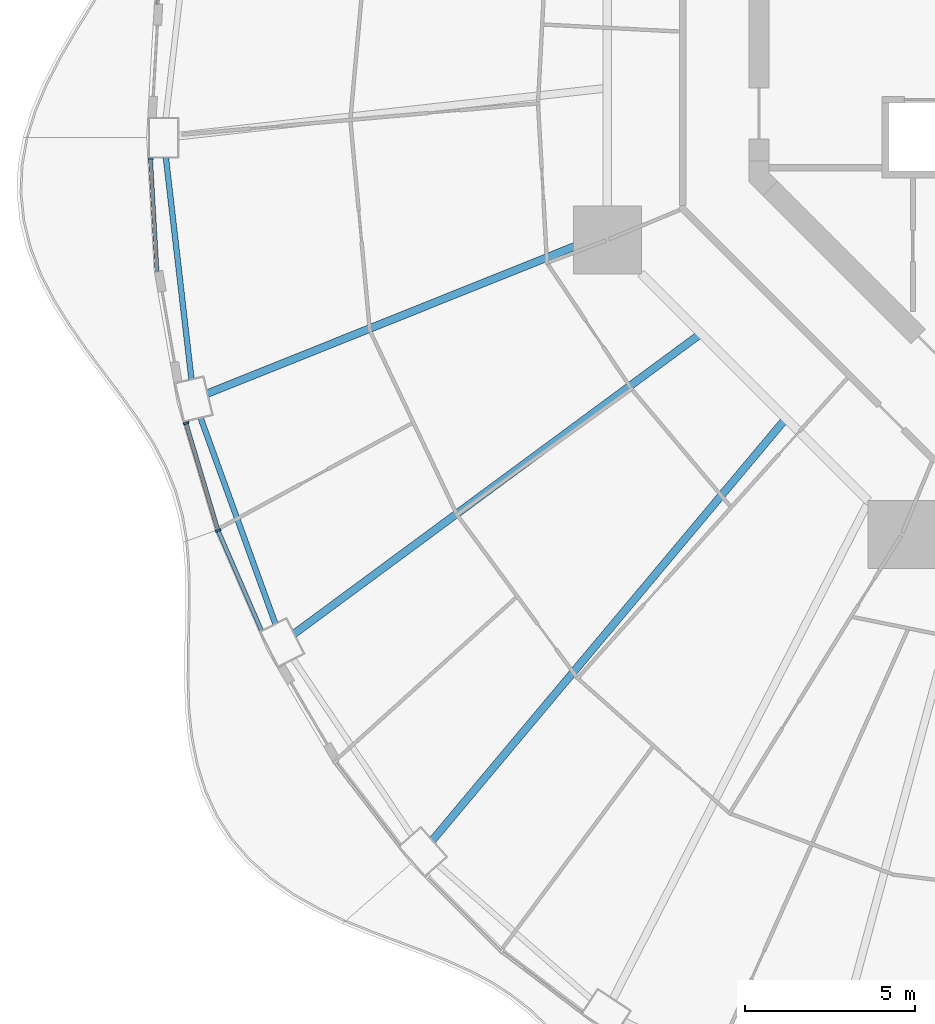
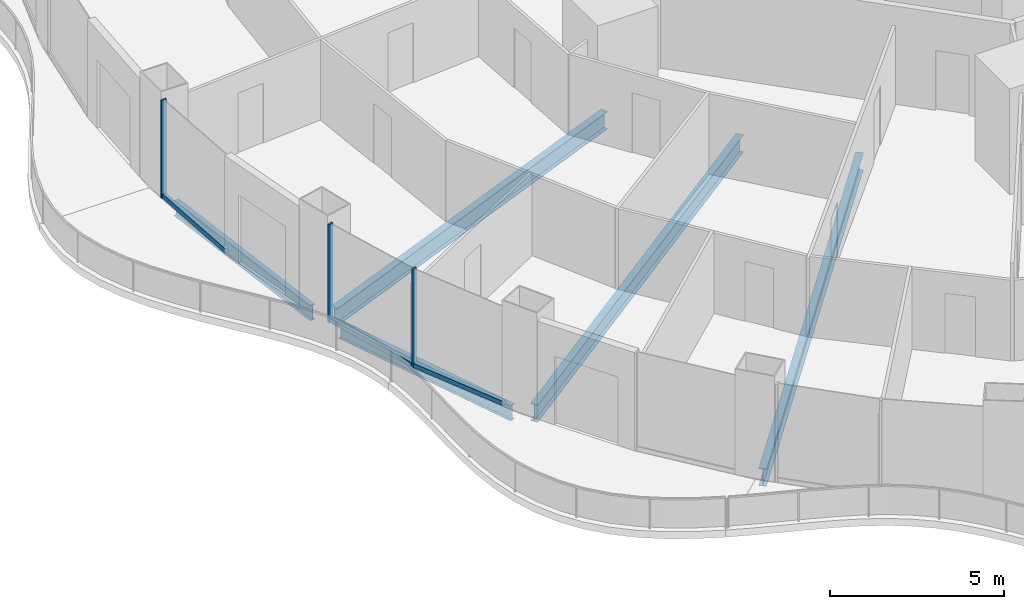
# One storey, part 3 of 20: 6 members, 5 beams, 3 elements without a shape of their own.
"""IFC4 building model written with IfcOpenShell, lengths in metres."""

from ifc_helpers import new_model, si_unit, direction, frame, origin, origin_2d, place, context, subcontext, project, spatial, rectangle, i_section, extrude, material, layer, layer_set, material_profile, profile_set, type_object, element, aggregate, save


model = new_model("IFC4")

# Units and contexts
model_context = context("Model", 3, precision=1e-05, world=origin(), true_north=direction((0.0, 1.0)))
body_context = subcontext(model_context, "Body", "Model", "MODEL_VIEW")
ifc_project = project(units=[si_unit("LENGTHUNIT", "METRE"), si_unit("AREAUNIT", "SQUARE_METRE"), si_unit("VOLUMEUNIT", "CUBIC_METRE"), si_unit("PLANEANGLEUNIT", "RADIAN"), si_unit("MASSUNIT", "GRAM", prefix="KILO")], contexts=[model_context])

# Site, building, storey
site_placement = place(None, origin())
site = spatial("IfcSite", under=ifc_project, at=site_placement, CompositionType="ELEMENT")
building_placement = place(site_placement, origin())
building = spatial("IfcBuilding", under=site, at=building_placement, Name="Nagisa Residences", CompositionType="ELEMENT")
storey_placement = place(building_placement, frame((0.0, 0.0, 123.300048828125)))
storey = spatial("IfcBuildingStorey", under=building, at=storey_placement, Name="L30", CompositionType="ELEMENT", Elevation=123.300048828125)

# Curtain wall, member
ifc_material_1 = material(Name="Concrete-coloured aluminium curtain wall system", Category="concrete")
ifc_layer = layer(ifc_material_1, 0.159912109375)
ifc_layer_set = layer_set([ifc_layer], Name="CW1 CURTAIN WALL")
curtain_wall_type = type_object("IfcCurtainWallType", Name="CW1 CURTAIN WALL", PredefinedType="NOTDEFINED", material=ifc_layer_set)
curtain_wall_1_placement = place(storey_placement, origin())
curtain_wall_1 = element("IfcCurtainWall", 1, at=curtain_wall_1_placement, inside=storey, type_object=curtain_wall_type, Name="cw:CW1:L30:24", PredefinedType="NOTDEFINED")
ifc_material_2 = material(Name="Concrete-coloured aluminium", Category="concrete")
ifc_material_profile_1 = material_profile(ifc_material_2, rectangle(XDim=0.159912109375, YDim=0.06005859375, at=origin_2d()), Name="CW1 MULLION 160x60")
ifc_profile_set_1 = profile_set([ifc_material_profile_1], Name="Concrete-coloured aluminium")
member_type_1 = type_object("IfcMemberType", Name="CW1 MULLION 160x60", PredefinedType="MULLION", material=ifc_profile_set_1)
member_1_placement = place(storey_placement, frame((-28.218994140625, -3.741943359375, 0.0), z_axis=(0.0, 0.0, 1.0), x_axis=(0.998345305184, 0.057503492216, 0.0)))
member_1 = element("IfcMember", 2, at=member_1_placement, type_object=member_type_1, Name="CW1 mullion", PredefinedType="MULLION", context=body_context, shape_type="SweptSolid", body=[
    extrude(rectangle(XDim=0.159912109375, YDim=0.06005859375, at=origin_2d()), origin(), (0.0, 0.0, 1.0), 3.43994140625),
])

curtain_wall_2_placement = place(storey_placement, origin())
curtain_wall_2 = element("IfcCurtainWall", 3, at=curtain_wall_2_placement, inside=storey, type_object=curtain_wall_type, Name="cw:CW1:L30:26", PredefinedType="NOTDEFINED")
member_2_placement = place(storey_placement, frame((-27.174072265625, -11.513671875, 0.0), z_axis=(0.0, 0.0, 1.0), x_axis=(0.958271310082, 0.285860274038, 0.0)))
member_2 = element("IfcMember", 4, at=member_2_placement, type_object=member_type_1, Name="CW1 mullion", PredefinedType="MULLION", context=body_context, shape_type="SweptSolid", body=[
    extrude(rectangle(XDim=0.159912109375, YDim=0.06005859375, at=origin_2d()), origin(), (0.0, 0.0, 1.0), 3.43994140625),
])

curtain_wall_3_placement = place(storey_placement, origin())
curtain_wall_3 = element("IfcCurtainWall", 5, at=curtain_wall_3_placement, inside=storey, type_object=curtain_wall_type, Name="cw:CW1:L30:27", PredefinedType="NOTDEFINED")
member_3_placement = place(storey_placement, frame((-26.229736328125, -14.66845703125, 0.0), z_axis=(0.0, 0.0, 1.0), x_axis=(0.917543276295, 0.397635934147, 0.0)))
member_3 = element("IfcMember", 6, at=member_3_placement, type_object=member_type_1, Name="CW1 mullion", PredefinedType="MULLION", context=body_context, shape_type="SweptSolid", body=[
    extrude(rectangle(XDim=0.159912109375, YDim=0.06005859375, at=origin_2d()), origin(), (0.0, 0.0, 1.0), 3.43994140625),
])

# Member
ifc_material_3 = material(Name="Concrete-coloured aluminium", Category="concrete")
ifc_material_profile_2 = material_profile(ifc_material_3, rectangle(XDim=0.1201171875, YDim=0.14990234375, at=origin_2d()), Name="CW1 TRANSOM 120x150")
ifc_profile_set_2 = profile_set([ifc_material_profile_2], Name="Concrete-coloured aluminium")
member_type_2 = type_object("IfcMemberType", Name="CW1 TRANSOM 120x150", PredefinedType="USERDEFINED", material=ifc_profile_set_2)
member_4_placement = place(storey_placement, frame((-28.220703125, -3.712158203125, 0.074951171875), z_axis=(0.057537829427, -0.998343326809, 0.0), x_axis=(0.998343326809, 0.057537829427, 0.0)))
member_4 = element("IfcMember", 7, at=member_4_placement, type_object=member_type_2, Name="CW1 transom", ObjectType="TRANSOM", PredefinedType="USERDEFINED", context=body_context, shape_type="SweptSolid", body=[
    extrude(rectangle(XDim=0.1201171875, YDim=0.14990234375, at=origin_2d()), origin(), (0.0, 0.0, 1.0), 3.347900390625),
])

aggregate(curtain_wall_1, [member_1, member_4])

member_5_placement = place(storey_placement, frame((-27.1826171875, -11.48486328125, 0.074951171875), z_axis=(0.285842038783, -0.958276749621, 0.0), x_axis=(0.958276749621, 0.285842038783, 0.0)))
member_5 = element("IfcMember", 8, at=member_5_placement, type_object=member_type_2, Name="CW1 transom", ObjectType="TRANSOM", PredefinedType="USERDEFINED", context=body_context, shape_type="SweptSolid", body=[
    extrude(rectangle(XDim=0.1201171875, YDim=0.14990234375, at=origin_2d()), origin(), (0.0, 0.0, 1.0), 3.302734375),
])

aggregate(curtain_wall_2, [member_2, member_5])

member_6_placement = place(storey_placement, frame((-26.24169921875, -14.64111328125, 0.074951171875), z_axis=(0.397666272939, -0.917530127771, 0.0), x_axis=(0.917530127771, 0.397666272939, 0.0)))
member_6 = element("IfcMember", 9, at=member_6_placement, type_object=member_type_2, Name="CW1 transom", ObjectType="TRANSOM", PredefinedType="USERDEFINED", context=body_context, shape_type="SweptSolid", body=[
    extrude(rectangle(XDim=0.1201171875, YDim=0.14990234375, at=origin_2d()), origin(), (0.0, 0.0, 1.0), 3.260498046875),
])

aggregate(curtain_wall_3, [member_3, member_6])

# Beams
ifc_material_4 = material(Name="Steel ASTM A572 Gr 50", Category="steel")
ifc_material_profile_3 = material_profile(ifc_material_4, i_section(OverallWidth=0.166015625, OverallDepth=0.534912109375, WebThickness=0.01025390625, FlangeThickness=0.0166015625, at=origin_2d()), Name="W530x85")
ifc_profile_set_3 = profile_set([ifc_material_profile_3], Name="Steel ASTM A572 Gr 50")
beam_type_1 = type_object("IfcBeamType", Name="Perimeter ring beam W530x85", PredefinedType="BEAM", material=ifc_profile_set_3)
beam_1_placement = place(storey_placement, frame((-27.76806640625, -3.69775390625, -0.527587890625), z_axis=(0.114660786771, -0.993404703017, 0.0), x_axis=(0.993404703017, 0.114660786771, 0.0)))
element("IfcBeam", 10, at=beam_1_placement, inside=storey, type_object=beam_type_1, Name="beam:L30:pb13", PredefinedType="BEAM", context=body_context, shape_type="SweptSolid", body=[
    extrude(i_section(OverallWidth=0.166015625, OverallDepth=0.534912109375, WebThickness=0.01025390625, FlangeThickness=0.0166015625, at=origin_2d()), origin(), (0.0, 0.0, 1.0), 6.568603515625),
])
beam_2_placement = place(storey_placement, frame((-26.74853515625, -11.352294921875, -0.527587890625), z_axis=(0.341366238276, -0.939930365168, 0.0), x_axis=(0.939930365168, 0.341366238276, 0.0)))
element("IfcBeam", 11, at=beam_2_placement, inside=storey, type_object=beam_type_1, Name="beam:L30:pb14", PredefinedType="BEAM", context=body_context, shape_type="SweptSolid", body=[
    extrude(i_section(OverallWidth=0.166015625, OverallDepth=0.534912109375, WebThickness=0.01025390625, FlangeThickness=0.0166015625, at=origin_2d()), origin(), (0.0, 0.0, 1.0), 6.450927734375),
])
ifc_material_5 = material(Name="Steel ASTM A572 Gr 50", Category="steel")
ifc_material_profile_4 = material_profile(ifc_material_5, i_section(OverallWidth=0.22900390625, OverallDepth=0.612060546875, WebThickness=0.011962890625, FlangeThickness=0.01953125, at=origin_2d()), Name="W610x125")
ifc_profile_set_4 = profile_set([ifc_material_profile_4], Name="Steel ASTM A572 Gr 50")
beam_type_2 = type_object("IfcBeamType", Name="Radial beam W610x125", PredefinedType="BEAM", material=ifc_profile_set_4)
beam_3_placement = place(storey_placement, frame((-26.5439453125, -10.641357421875, -0.566162109375), z_axis=(0.928186733156, 0.372114751648, 0.0), x_axis=(-0.372114751648, 0.928186733156, 0.0)))
element("IfcBeam", 12, at=beam_3_placement, inside=storey, type_object=beam_type_2, Name="beam:L30:rb14", PredefinedType="BEAM", context=body_context, shape_type="SweptSolid", body=[
    extrude(i_section(OverallWidth=0.22900390625, OverallDepth=0.612060546875, WebThickness=0.011962890625, FlangeThickness=0.01953125, at=origin_2d()), origin(), (0.0, 0.0, 1.0), 12.554931640625),
])
beam_4_placement = place(storey_placement, frame((-23.995849609375, -17.7060546875, -0.566162109375), z_axis=(0.804660796299, 0.59373479172, 0.0), x_axis=(-0.59373479172, 0.804660796299, 0.0)))
element("IfcBeam", 13, at=beam_4_placement, inside=storey, type_object=beam_type_2, Name="beam:L30:rb15", PredefinedType="BEAM", context=body_context, shape_type="SweptSolid", body=[
    extrude(i_section(OverallWidth=0.22900390625, OverallDepth=0.612060546875, WebThickness=0.011962890625, FlangeThickness=0.01953125, at=origin_2d()), origin(), (0.0, 0.0, 1.0), 14.763427734375),
])
beam_5_placement = place(storey_placement, frame((-19.929931640625, -23.78173828125, -0.566162109375), z_axis=(0.642300860107, 0.766452611128, 0.0), x_axis=(-0.766452611128, 0.642300860107, 0.0)))
element("IfcBeam", 14, at=beam_5_placement, inside=storey, type_object=beam_type_2, Name="beam:L30:rb16", PredefinedType="BEAM", context=body_context, shape_type="SweptSolid", body=[
    extrude(i_section(OverallWidth=0.22900390625, OverallDepth=0.612060546875, WebThickness=0.011962890625, FlangeThickness=0.01953125, at=origin_2d()), origin(), (0.0, 0.0, 1.0), 16.081787109375),
])

save(model, "model.ifc")
